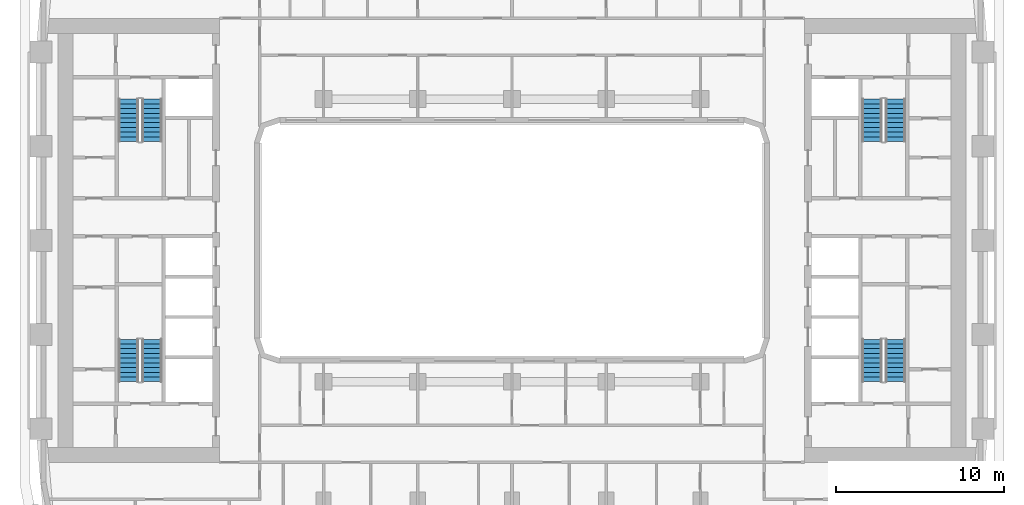
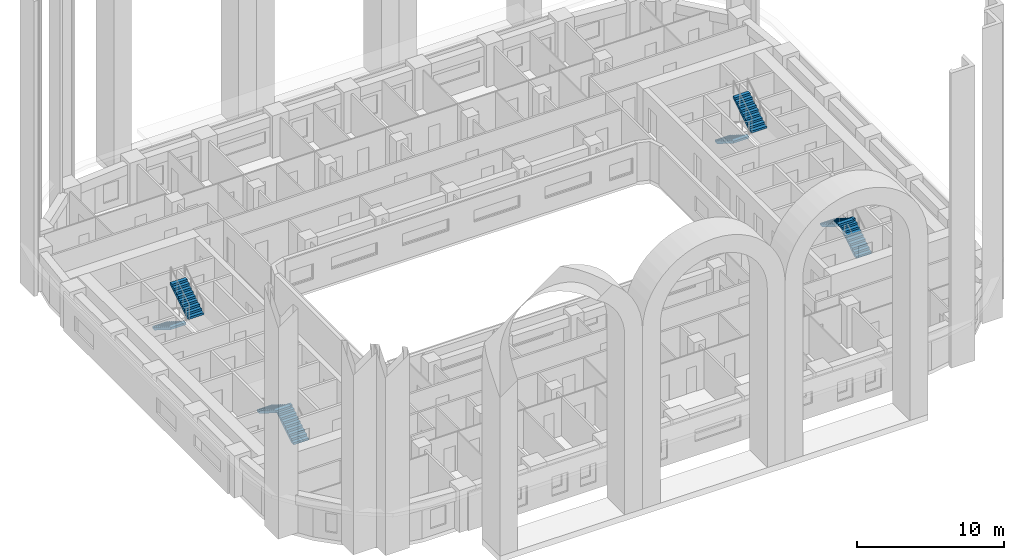
# One storey, part 11 of 19: 8 stair flights, 4 elements without a shape of their own.
"""IFC4 building model written with IfcOpenShell, lengths in metres."""

from ifc_helpers import new_model, si_unit, direction, frame, origin, place, context, subcontext, project, spatial, polyline, outline, extrude, material, type_object, element, aggregate, save


model = new_model("IFC4")

# Units and contexts
model_context = context("Model", 3, precision=1e-05, world=origin(), true_north=direction((0.0, 1.0)))
body_context = subcontext(model_context, "Body", "Model", "MODEL_VIEW")
ifc_project = project(units=[si_unit("LENGTHUNIT", "METRE"), si_unit("AREAUNIT", "SQUARE_METRE"), si_unit("VOLUMEUNIT", "CUBIC_METRE"), si_unit("PLANEANGLEUNIT", "RADIAN"), si_unit("MASSUNIT", "GRAM", prefix="KILO")], contexts=[model_context])

# Site, building, storey
site_placement = place(None, origin())
site = spatial("IfcSite", under=ifc_project, at=site_placement, CompositionType="ELEMENT")
building_placement = place(site_placement, origin())
building = spatial("IfcBuilding", under=site, at=building_placement, Name="Kiln Ring Residences", CompositionType="ELEMENT")
storey_placement = place(building_placement, frame((0.0, 0.0, 83.300048828125)))
storey = spatial("IfcBuildingStorey", under=building, at=storey_placement, Name="L20", CompositionType="ELEMENT", Elevation=83.300048828125)

# Stair, stair flights
ifc_material_1 = material(Name="Concrete C40/50", Category="concrete")
stair_type = type_object("IfcStairType", Name="CORE-STAIR", PredefinedType="HALF_TURN_STAIR", material=ifc_material_1)
placement = place(storey_placement, origin())
stair_1 = element("IfcStair", 1, at=placement, inside=storey, type_object=stair_type, Name="L20 stair W-STN", PredefinedType="HALF_TURN_STAIR")
ifc_material_2 = material(Name="Concrete C40/50", Category="concrete")
stair_flight_type = type_object("IfcStairFlightType", Name="CORE-STAIR-FLIGHT", PredefinedType="STRAIGHT", material=ifc_material_2)
stair_flight_1_placement = place(storey_placement, frame((-22.800048828125, 8.39990234375, 0.0), z_axis=(0.0, 0.0, 1.0), x_axis=(0.0, -1.0, 0.0)))
stair_flight_1 = element("IfcStairFlight", 2, at=stair_flight_1_placement, type_object=stair_flight_type, Name="W-STN flight 1", NumberOfRisers=10, NumberOfTreads=9, PredefinedType="STRAIGHT", RiserHeight=0.175, TreadLength=0.28, context=body_context, shape_type="SweptSolid", body=[
    extrude(outline(polyline([(0.0, 0.0), (0.0, 0.175048828125), (0.280029296875, 0.175048828125), (0.280029296875, 0.35009765625), (0.56005859375, 0.35009765625), (0.56005859375, 0.52490234375), (0.840087890625, 0.52490234375), (0.840087890625, 0.699951171875), (1.1201171875, 0.699951171875), (1.1201171875, 0.875), (1.39990234375, 0.875), (1.39990234375, 1.050048828125), (1.679931640625, 1.050048828125), (1.679931640625, 1.22509765625), (1.9599609375, 1.22509765625), (1.9599609375, 1.39990234375), (2.239990234375, 1.39990234375), (2.239990234375, 1.574951171875), (2.52001953125, 1.574951171875), (2.52001953125, 1.75), (2.52001953125, 1.398193359375), (0.28271484375, 0.0), (0.0, 0.0)])), frame((0.0, 0.60009765625, 0.0), z_axis=(0.0, -1.0, 0.0), x_axis=(1.0, 0.0, 0.0)), (0.0, 0.0, 1.0), 1.199951171875),
])
stair_flight_2_placement = place(storey_placement, frame((-21.39990234375, 5.8798828125, 1.75), z_axis=(0.0, 0.0, 1.0), x_axis=(0.0, 1.0, 0.0)))
stair_flight_2 = element("IfcStairFlight", 3, at=stair_flight_2_placement, type_object=stair_flight_type, Name="W-STN flight 2", NumberOfRisers=10, NumberOfTreads=9, PredefinedType="STRAIGHT", RiserHeight=0.175, TreadLength=0.28, context=body_context, shape_type="SweptSolid", body=[
    extrude(outline(polyline([(0.0, 0.0), (0.0, 0.175048828125), (0.280029296875, 0.175048828125), (0.280029296875, 0.35009765625), (0.56005859375, 0.35009765625), (0.56005859375, 0.52490234375), (0.840087890625, 0.52490234375), (0.840087890625, 0.699951171875), (1.1201171875, 0.699951171875), (1.1201171875, 0.875), (1.39990234375, 0.875), (1.39990234375, 1.050048828125), (1.679931640625, 1.050048828125), (1.679931640625, 1.22509765625), (1.9599609375, 1.22509765625), (1.9599609375, 1.39990234375), (2.239990234375, 1.39990234375), (2.239990234375, 1.574951171875), (2.52001953125, 1.574951171875), (2.52001953125, 1.75), (2.52001953125, 1.398193359375), (0.28271484375, 0.0), (0.0, 0.0)])), frame((0.0, 0.60009765625, 0.0), z_axis=(0.0, -1.0, 0.0), x_axis=(1.0, 0.0, 0.0)), (0.0, 0.0, 1.0), 1.199951171875),
])
aggregate(stair_1, [stair_flight_1, stair_flight_2])

stair_2 = element("IfcStair", 4, at=placement, inside=storey, type_object=stair_type, Name="L20 stair W-STS", PredefinedType="HALF_TURN_STAIR")
stair_flight_3_placement = place(storey_placement, frame((-21.39990234375, -8.39990234375, 0.0), z_axis=(0.0, 0.0, 1.0), x_axis=(0.0, 1.0, 0.0)))
stair_flight_3 = element("IfcStairFlight", 5, at=stair_flight_3_placement, type_object=stair_flight_type, Name="W-STS flight 1", NumberOfRisers=10, NumberOfTreads=9, PredefinedType="STRAIGHT", RiserHeight=0.175, TreadLength=0.28, context=body_context, shape_type="SweptSolid", body=[
    extrude(outline(polyline([(0.0, 0.0), (0.0, 0.175048828125), (0.280029296875, 0.175048828125), (0.280029296875, 0.35009765625), (0.56005859375, 0.35009765625), (0.56005859375, 0.52490234375), (0.840087890625, 0.52490234375), (0.840087890625, 0.699951171875), (1.1201171875, 0.699951171875), (1.1201171875, 0.875), (1.39990234375, 0.875), (1.39990234375, 1.050048828125), (1.679931640625, 1.050048828125), (1.679931640625, 1.22509765625), (1.9599609375, 1.22509765625), (1.9599609375, 1.39990234375), (2.239990234375, 1.39990234375), (2.239990234375, 1.574951171875), (2.52001953125, 1.574951171875), (2.52001953125, 1.75), (2.52001953125, 1.398193359375), (0.28271484375, 0.0), (0.0, 0.0)])), frame((0.0, 0.60009765625, 0.0), z_axis=(0.0, -1.0, 0.0), x_axis=(1.0, 0.0, 0.0)), (0.0, 0.0, 1.0), 1.199951171875),
])
stair_flight_4_placement = place(storey_placement, frame((-22.800048828125, -5.8798828125, 1.75), z_axis=(0.0, 0.0, 1.0), x_axis=(0.0, -1.0, 0.0)))
stair_flight_4 = element("IfcStairFlight", 6, at=stair_flight_4_placement, type_object=stair_flight_type, Name="W-STS flight 2", NumberOfRisers=10, NumberOfTreads=9, PredefinedType="STRAIGHT", RiserHeight=0.175, TreadLength=0.28, context=body_context, shape_type="SweptSolid", body=[
    extrude(outline(polyline([(0.0, 0.0), (0.0, 0.175048828125), (0.280029296875, 0.175048828125), (0.280029296875, 0.35009765625), (0.56005859375, 0.35009765625), (0.56005859375, 0.52490234375), (0.840087890625, 0.52490234375), (0.840087890625, 0.699951171875), (1.1201171875, 0.699951171875), (1.1201171875, 0.875), (1.39990234375, 0.875), (1.39990234375, 1.050048828125), (1.679931640625, 1.050048828125), (1.679931640625, 1.22509765625), (1.9599609375, 1.22509765625), (1.9599609375, 1.39990234375), (2.239990234375, 1.39990234375), (2.239990234375, 1.574951171875), (2.52001953125, 1.574951171875), (2.52001953125, 1.75), (2.52001953125, 1.398193359375), (0.28271484375, 0.0), (0.0, 0.0)])), frame((0.0, 0.60009765625, 0.0), z_axis=(0.0, -1.0, 0.0), x_axis=(1.0, 0.0, 0.0)), (0.0, 0.0, 1.0), 1.199951171875),
])
aggregate(stair_2, [stair_flight_3, stair_flight_4])

stair_3 = element("IfcStair", 7, at=placement, inside=storey, type_object=stair_type, Name="L20 stair E-STN", PredefinedType="HALF_TURN_STAIR")
stair_flight_5_placement = place(storey_placement, frame((21.39990234375, 8.39990234375, 0.0), z_axis=(0.0, 0.0, 1.0), x_axis=(0.0, -1.0, 0.0)))
stair_flight_5 = element("IfcStairFlight", 8, at=stair_flight_5_placement, type_object=stair_flight_type, Name="E-STN flight 1", NumberOfRisers=10, NumberOfTreads=9, PredefinedType="STRAIGHT", RiserHeight=0.175, TreadLength=0.28, context=body_context, shape_type="SweptSolid", body=[
    extrude(outline(polyline([(0.0, 0.0), (0.0, 0.175048828125), (0.280029296875, 0.175048828125), (0.280029296875, 0.35009765625), (0.56005859375, 0.35009765625), (0.56005859375, 0.52490234375), (0.840087890625, 0.52490234375), (0.840087890625, 0.699951171875), (1.1201171875, 0.699951171875), (1.1201171875, 0.875), (1.39990234375, 0.875), (1.39990234375, 1.050048828125), (1.679931640625, 1.050048828125), (1.679931640625, 1.22509765625), (1.9599609375, 1.22509765625), (1.9599609375, 1.39990234375), (2.239990234375, 1.39990234375), (2.239990234375, 1.574951171875), (2.52001953125, 1.574951171875), (2.52001953125, 1.75), (2.52001953125, 1.398193359375), (0.28271484375, 0.0), (0.0, 0.0)])), frame((0.0, 0.60009765625, 0.0), z_axis=(0.0, -1.0, 0.0), x_axis=(1.0, 0.0, 0.0)), (0.0, 0.0, 1.0), 1.199951171875),
])
stair_flight_6_placement = place(storey_placement, frame((22.800048828125, 5.8798828125, 1.75), z_axis=(0.0, 0.0, 1.0), x_axis=(0.0, 1.0, 0.0)))
stair_flight_6 = element("IfcStairFlight", 9, at=stair_flight_6_placement, type_object=stair_flight_type, Name="E-STN flight 2", NumberOfRisers=10, NumberOfTreads=9, PredefinedType="STRAIGHT", RiserHeight=0.175, TreadLength=0.28, context=body_context, shape_type="SweptSolid", body=[
    extrude(outline(polyline([(0.0, 0.0), (0.0, 0.175048828125), (0.280029296875, 0.175048828125), (0.280029296875, 0.35009765625), (0.56005859375, 0.35009765625), (0.56005859375, 0.52490234375), (0.840087890625, 0.52490234375), (0.840087890625, 0.699951171875), (1.1201171875, 0.699951171875), (1.1201171875, 0.875), (1.39990234375, 0.875), (1.39990234375, 1.050048828125), (1.679931640625, 1.050048828125), (1.679931640625, 1.22509765625), (1.9599609375, 1.22509765625), (1.9599609375, 1.39990234375), (2.239990234375, 1.39990234375), (2.239990234375, 1.574951171875), (2.52001953125, 1.574951171875), (2.52001953125, 1.75), (2.52001953125, 1.398193359375), (0.28271484375, 0.0), (0.0, 0.0)])), frame((0.0, 0.60009765625, 0.0), z_axis=(0.0, -1.0, 0.0), x_axis=(1.0, 0.0, 0.0)), (0.0, 0.0, 1.0), 1.199951171875),
])
aggregate(stair_3, [stair_flight_5, stair_flight_6])

stair_4 = element("IfcStair", 10, at=placement, inside=storey, type_object=stair_type, Name="L20 stair E-STS", PredefinedType="HALF_TURN_STAIR")
stair_flight_7_placement = place(storey_placement, frame((22.800048828125, -8.39990234375, 0.0), z_axis=(0.0, 0.0, 1.0), x_axis=(0.0, 1.0, 0.0)))
stair_flight_7 = element("IfcStairFlight", 11, at=stair_flight_7_placement, type_object=stair_flight_type, Name="E-STS flight 1", NumberOfRisers=10, NumberOfTreads=9, PredefinedType="STRAIGHT", RiserHeight=0.175, TreadLength=0.28, context=body_context, shape_type="SweptSolid", body=[
    extrude(outline(polyline([(0.0, 0.0), (0.0, 0.175048828125), (0.280029296875, 0.175048828125), (0.280029296875, 0.35009765625), (0.56005859375, 0.35009765625), (0.56005859375, 0.52490234375), (0.840087890625, 0.52490234375), (0.840087890625, 0.699951171875), (1.1201171875, 0.699951171875), (1.1201171875, 0.875), (1.39990234375, 0.875), (1.39990234375, 1.050048828125), (1.679931640625, 1.050048828125), (1.679931640625, 1.22509765625), (1.9599609375, 1.22509765625), (1.9599609375, 1.39990234375), (2.239990234375, 1.39990234375), (2.239990234375, 1.574951171875), (2.52001953125, 1.574951171875), (2.52001953125, 1.75), (2.52001953125, 1.398193359375), (0.28271484375, 0.0), (0.0, 0.0)])), frame((0.0, 0.60009765625, 0.0), z_axis=(0.0, -1.0, 0.0), x_axis=(1.0, 0.0, 0.0)), (0.0, 0.0, 1.0), 1.199951171875),
])
stair_flight_8_placement = place(storey_placement, frame((21.39990234375, -5.8798828125, 1.75), z_axis=(0.0, 0.0, 1.0), x_axis=(0.0, -1.0, 0.0)))
stair_flight_8 = element("IfcStairFlight", 12, at=stair_flight_8_placement, type_object=stair_flight_type, Name="E-STS flight 2", NumberOfRisers=10, NumberOfTreads=9, PredefinedType="STRAIGHT", RiserHeight=0.175, TreadLength=0.28, context=body_context, shape_type="SweptSolid", body=[
    extrude(outline(polyline([(0.0, 0.0), (0.0, 0.175048828125), (0.280029296875, 0.175048828125), (0.280029296875, 0.35009765625), (0.56005859375, 0.35009765625), (0.56005859375, 0.52490234375), (0.840087890625, 0.52490234375), (0.840087890625, 0.699951171875), (1.1201171875, 0.699951171875), (1.1201171875, 0.875), (1.39990234375, 0.875), (1.39990234375, 1.050048828125), (1.679931640625, 1.050048828125), (1.679931640625, 1.22509765625), (1.9599609375, 1.22509765625), (1.9599609375, 1.39990234375), (2.239990234375, 1.39990234375), (2.239990234375, 1.574951171875), (2.52001953125, 1.574951171875), (2.52001953125, 1.75), (2.52001953125, 1.398193359375), (0.28271484375, 0.0), (0.0, 0.0)])), frame((0.0, 0.60009765625, 0.0), z_axis=(0.0, -1.0, 0.0), x_axis=(1.0, 0.0, 0.0)), (0.0, 0.0, 1.0), 1.199951171875),
])
aggregate(stair_4, [stair_flight_7, stair_flight_8])

save(model, "model.ifc")
